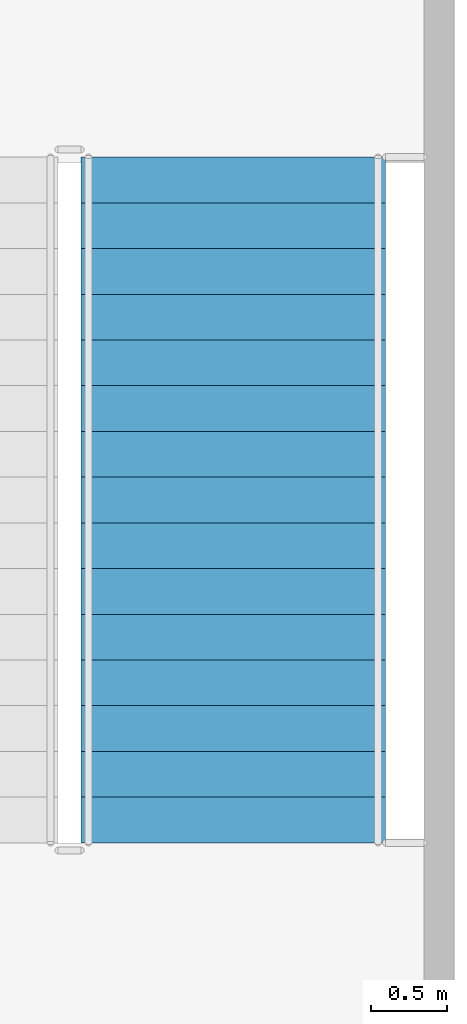
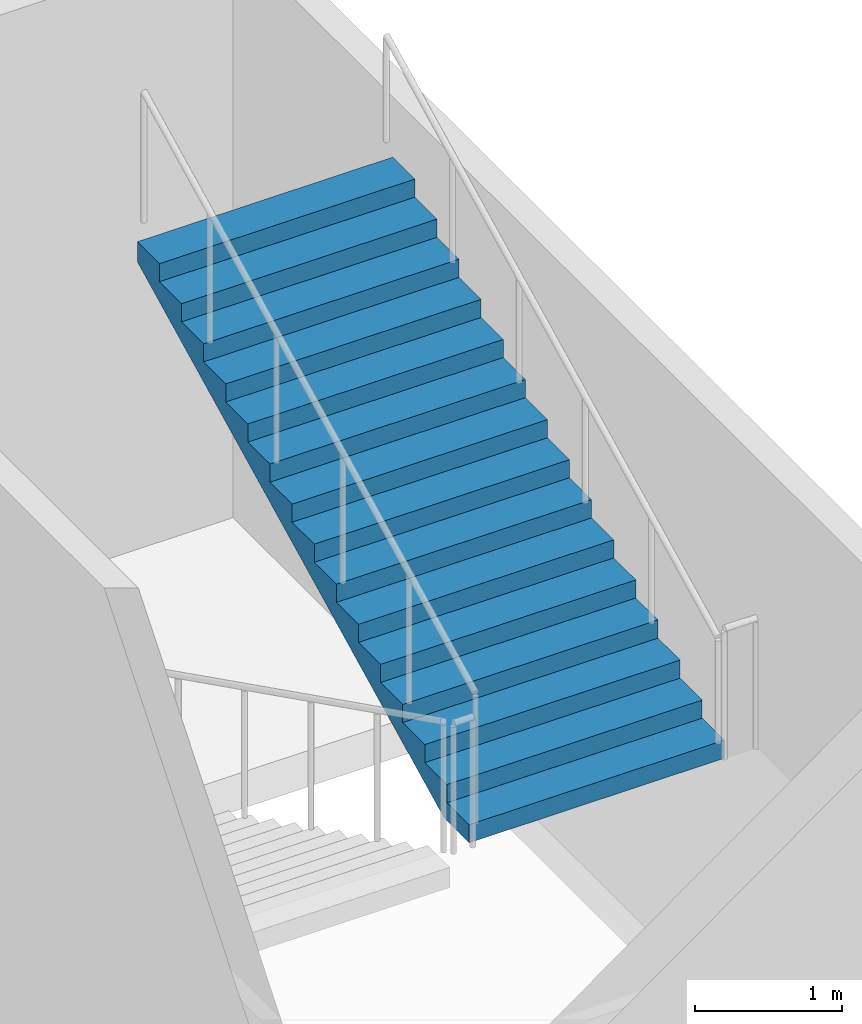
# One storey, part 65 of 91: 1 stair flight, 1 element without a shape of its own.
"""IFC4 building model written with IfcOpenShell, lengths in metres."""

from ifc_helpers import new_model, si_unit, direction, frame, origin, place, context, subcontext, project, spatial, faceted_brep, material, type_object, element, aggregate, save


model = new_model("IFC4")

# Units and contexts
model_context = context("Model", 3, precision=1e-05, world=origin(), true_north=direction((0.0, 1.0)))
body_context = subcontext(model_context, "Body", "Model", "MODEL_VIEW")
ifc_project = project(units=[si_unit("LENGTHUNIT", "METRE"), si_unit("AREAUNIT", "SQUARE_METRE"), si_unit("VOLUMEUNIT", "CUBIC_METRE"), si_unit("PLANEANGLEUNIT", "RADIAN"), si_unit("MASSUNIT", "GRAM", prefix="KILO")], contexts=[model_context])

# Site, building, storey
site_placement = place(None, origin())
site = spatial("IfcSite", under=ifc_project, at=site_placement, CompositionType="ELEMENT")
building_placement = place(site_placement, origin())
building = spatial("IfcBuilding", under=site, at=building_placement, Name="Kiln Court Media Centre", CompositionType="ELEMENT")
storey_placement = place(building_placement, frame((0.0, 0.0, 5.39990234375)))
storey = spatial("IfcBuildingStorey", under=building, at=storey_placement, Name="L01", CompositionType="ELEMENT", Elevation=5.39990234375)

# Stair, stair flight
ifc_material_1 = material(Name="Concrete C40/50", Category="concrete")
stair_type = type_object("IfcStairType", Name="Concrete C40/50 dog-leg stair 2000 wide, 150 riser", PredefinedType="HALF_TURN_STAIR", material=ifc_material_1)
stair_placement = place(storey_placement, origin())
stair = element("IfcStair", 1, at=stair_placement, inside=storey, type_object=stair_type, Name="ST-15 L01", PredefinedType="HALF_TURN_STAIR")
ifc_material_2 = material(Name="Concrete C40/50", Category="concrete")
stair_flight_type = type_object("IfcStairFlightType", Name="Concrete C40/50 stair flight 2000 wide, 150 riser, 300 going", PredefinedType="STRAIGHT", material=ifc_material_2)
stair_flight_placement = place(storey_placement, frame((166.550048828125, 59.89990234375, 2.400146484375), z_axis=(0.0, 0.0, 1.0), x_axis=(0.0, 1.0, 0.0)))
stair_flight = element("IfcStairFlight", 2, at=stair_flight_placement, type_object=stair_flight_type, Name="L01-ST-5014 flight 5029", NumberOfRisers=16, NumberOfTreads=15, PredefinedType="STRAIGHT", RiserHeight=0.15, TreadLength=0.3, context=body_context, shape_type="Brep", body=[
    faceted_brep([(0.335205078125, -1.0, 0.0), (4.5, -1.0, 2.08251953125), (4.5, -1.0, 2.25), (4.199951171875, -1.0, 2.25), (4.199951171875, -1.0, 2.10009765625), (3.89990234375, -1.0, 2.10009765625), (3.89990234375, -1.0, 1.949951171875), (3.60009765625, -1.0, 1.949951171875), (3.60009765625, -1.0, 1.800048828125), (3.300048828125, -1.0, 1.800048828125), (3.300048828125, -1.0, 1.64990234375), (3.0, -1.0, 1.64990234375), (3.0, -1.0, 1.5), (2.699951171875, -1.0, 1.5), (2.699951171875, -1.0, 1.35009765625), (2.39990234375, -1.0, 1.35009765625), (2.39990234375, -1.0, 1.199951171875), (2.10009765625, -1.0, 1.199951171875), (2.10009765625, -1.0, 1.050048828125), (1.800048828125, -1.0, 1.050048828125), (1.800048828125, -1.0, 0.89990234375), (1.5, -1.0, 0.89990234375), (1.5, -1.0, 0.75), (1.199951171875, -1.0, 0.75), (1.199951171875, -1.0, 0.60009765625), (0.89990234375, -1.0, 0.60009765625), (0.89990234375, -1.0, 0.449951171875), (0.60009765625, -1.0, 0.449951171875), (0.60009765625, -1.0, 0.300048828125), (0.300048828125, -1.0, 0.300048828125), (0.300048828125, -1.0, 0.14990234375), (0.0, -1.0, 0.14990234375), (0.0, -1.0, 0.0), (0.0, 1.0, 0.0), (0.0, 1.0, 0.14990234375), (0.300048828125, 1.0, 0.14990234375), (0.300048828125, 1.0, 0.300048828125), (0.60009765625, 1.0, 0.300048828125), (0.60009765625, 1.0, 0.449951171875), (0.89990234375, 1.0, 0.449951171875), (0.89990234375, 1.0, 0.60009765625), (1.199951171875, 1.0, 0.60009765625), (1.199951171875, 1.0, 0.75), (1.5, 1.0, 0.75), (1.5, 1.0, 0.89990234375), (1.800048828125, 1.0, 0.89990234375), (1.800048828125, 1.0, 1.050048828125), (2.10009765625, 1.0, 1.050048828125), (2.10009765625, 1.0, 1.199951171875), (2.39990234375, 1.0, 1.199951171875), (2.39990234375, 1.0, 1.35009765625), (2.699951171875, 1.0, 1.35009765625), (2.699951171875, 1.0, 1.5), (3.0, 1.0, 1.5), (3.0, 1.0, 1.64990234375), (3.300048828125, 1.0, 1.64990234375), (3.300048828125, 1.0, 1.800048828125), (3.60009765625, 1.0, 1.800048828125), (3.60009765625, 1.0, 1.949951171875), (3.89990234375, 1.0, 1.949951171875), (3.89990234375, 1.0, 2.10009765625), (4.199951171875, 1.0, 2.10009765625), (4.199951171875, 1.0, 2.25), (4.5, 1.0, 2.25), (4.5, 1.0, 2.08251953125), (0.335205078125, 1.0, 0.0), (4.5, 0.10009765625, 2.08251953125), (0.335205078125, 0.10009765625, 0.0), (4.5, 0.080078125, 2.08251953125), (0.335205078125, 0.080078125, 0.0), (4.5, 0.06005859375, 2.08251953125), (0.335205078125, 0.06005859375, 0.0), (4.5, 0.0400390625, 2.08251953125), (0.335205078125, 0.0400390625, 0.0), (4.5, 0.02001953125, 2.08251953125), (0.335205078125, 0.02001953125, 0.0), (4.5, 0.0, 2.08251953125), (0.335205078125, 0.0, 0.0), (4.5, -0.02001953125, 2.08251953125), (0.335205078125, -0.02001953125, 0.0), (4.5, -0.0400390625, 2.08251953125), (0.335205078125, -0.0400390625, 0.0), (4.5, -0.06005859375, 2.08251953125), (0.335205078125, -0.06005859375, 0.0), (4.5, -0.080078125, 2.08251953125), (0.335205078125, -0.080078125, 0.0), (4.5, -0.10009765625, 2.08251953125), (0.335205078125, -0.10009765625, 0.0), (4.5, 0.10009765625, 2.25), (4.5, 0.080078125, 2.25), (4.5, 0.06005859375, 2.25), (4.5, 0.0400390625, 2.25), (4.5, 0.02001953125, 2.25), (4.5, 0.0, 2.25), (4.5, -0.02001953125, 2.25), (4.5, -0.0400390625, 2.25), (4.5, -0.06005859375, 2.25), (4.5, -0.080078125, 2.25), (4.5, -0.10009765625, 2.25), (4.199951171875, 0.10009765625, 2.25), (4.199951171875, 0.080078125, 2.25), (4.199951171875, 0.06005859375, 2.25), (4.199951171875, 0.0400390625, 2.25), (4.199951171875, 0.02001953125, 2.25), (4.199951171875, 0.0, 2.25), (4.199951171875, -0.02001953125, 2.25), (4.199951171875, -0.0400390625, 2.25), (4.199951171875, -0.06005859375, 2.25), (4.199951171875, -0.080078125, 2.25), (4.199951171875, -0.10009765625, 2.25), (4.199951171875, 0.10009765625, 2.10009765625), (4.199951171875, 0.080078125, 2.10009765625), (4.199951171875, 0.06005859375, 2.10009765625), (4.199951171875, 0.0400390625, 2.10009765625), (4.199951171875, 0.02001953125, 2.10009765625), (4.199951171875, 0.0, 2.10009765625), (4.199951171875, -0.02001953125, 2.10009765625), (4.199951171875, -0.0400390625, 2.10009765625), (4.199951171875, -0.06005859375, 2.10009765625), (4.199951171875, -0.080078125, 2.10009765625), (4.199951171875, -0.10009765625, 2.10009765625), (3.89990234375, 0.10009765625, 2.10009765625), (3.89990234375, 0.080078125, 2.10009765625), (3.89990234375, 0.06005859375, 2.10009765625), (3.89990234375, 0.0400390625, 2.10009765625), (3.89990234375, 0.02001953125, 2.10009765625), (3.89990234375, 0.0, 2.10009765625), (3.89990234375, -0.02001953125, 2.10009765625), (3.89990234375, -0.0400390625, 2.10009765625), (3.89990234375, -0.06005859375, 2.10009765625), (3.89990234375, -0.080078125, 2.10009765625), (3.89990234375, -0.10009765625, 2.10009765625), (3.89990234375, 0.10009765625, 1.949951171875), (3.89990234375, 0.080078125, 1.949951171875), (3.89990234375, 0.06005859375, 1.949951171875), (3.89990234375, 0.0400390625, 1.949951171875), (3.89990234375, 0.02001953125, 1.949951171875), (3.89990234375, 0.0, 1.949951171875), (3.89990234375, -0.02001953125, 1.949951171875), (3.89990234375, -0.0400390625, 1.949951171875), (3.89990234375, -0.06005859375, 1.949951171875), (3.89990234375, -0.080078125, 1.949951171875), (3.89990234375, -0.10009765625, 1.949951171875), (3.60009765625, 0.10009765625, 1.949951171875), (3.60009765625, 0.080078125, 1.949951171875), (3.60009765625, 0.06005859375, 1.949951171875), (3.60009765625, 0.0400390625, 1.949951171875), (3.60009765625, 0.02001953125, 1.949951171875), (3.60009765625, 0.0, 1.949951171875), (3.60009765625, -0.02001953125, 1.949951171875), (3.60009765625, -0.0400390625, 1.949951171875), (3.60009765625, -0.06005859375, 1.949951171875), (3.60009765625, -0.080078125, 1.949951171875), (3.60009765625, -0.10009765625, 1.949951171875), (3.60009765625, 0.10009765625, 1.800048828125), (3.60009765625, 0.080078125, 1.800048828125), (3.60009765625, 0.06005859375, 1.800048828125), (3.60009765625, 0.0400390625, 1.800048828125), (3.60009765625, 0.02001953125, 1.800048828125), (3.60009765625, 0.0, 1.800048828125), (3.60009765625, -0.02001953125, 1.800048828125), (3.60009765625, -0.0400390625, 1.800048828125), (3.60009765625, -0.06005859375, 1.800048828125), (3.60009765625, -0.080078125, 1.800048828125), (3.60009765625, -0.10009765625, 1.800048828125), (3.300048828125, 0.10009765625, 1.800048828125), (3.300048828125, 0.080078125, 1.800048828125), (3.300048828125, 0.06005859375, 1.800048828125), (3.300048828125, 0.0400390625, 1.800048828125), (3.300048828125, 0.02001953125, 1.800048828125), (3.300048828125, 0.0, 1.800048828125), (3.300048828125, -0.02001953125, 1.800048828125), (3.300048828125, -0.0400390625, 1.800048828125), (3.300048828125, -0.06005859375, 1.800048828125), (3.300048828125, -0.080078125, 1.800048828125), (3.300048828125, -0.10009765625, 1.800048828125), (3.300048828125, 0.10009765625, 1.64990234375), (3.300048828125, 0.080078125, 1.64990234375), (3.300048828125, 0.06005859375, 1.64990234375), (3.300048828125, 0.0400390625, 1.64990234375), (3.300048828125, 0.02001953125, 1.64990234375), (3.300048828125, 0.0, 1.64990234375), (3.300048828125, -0.02001953125, 1.64990234375), (3.300048828125, -0.0400390625, 1.64990234375), (3.300048828125, -0.06005859375, 1.64990234375), (3.300048828125, -0.080078125, 1.64990234375), (3.300048828125, -0.10009765625, 1.64990234375), (3.0, 0.10009765625, 1.64990234375), (3.0, 0.080078125, 1.64990234375), (3.0, 0.06005859375, 1.64990234375), (3.0, 0.0400390625, 1.64990234375), (3.0, 0.02001953125, 1.64990234375), (3.0, 0.0, 1.64990234375), (3.0, -0.02001953125, 1.64990234375), (3.0, -0.0400390625, 1.64990234375), (3.0, -0.06005859375, 1.64990234375), (3.0, -0.080078125, 1.64990234375), (3.0, -0.10009765625, 1.64990234375), (3.0, 0.10009765625, 1.5), (3.0, 0.080078125, 1.5), (3.0, 0.06005859375, 1.5), (3.0, 0.0400390625, 1.5), (3.0, 0.02001953125, 1.5), (3.0, 0.0, 1.5), (3.0, -0.02001953125, 1.5), (3.0, -0.0400390625, 1.5), (3.0, -0.06005859375, 1.5), (3.0, -0.080078125, 1.5), (3.0, -0.10009765625, 1.5), (2.699951171875, 0.10009765625, 1.5), (2.699951171875, 0.080078125, 1.5), (2.699951171875, 0.06005859375, 1.5), (2.699951171875, 0.0400390625, 1.5), (2.699951171875, 0.02001953125, 1.5), (2.699951171875, 0.0, 1.5), (2.699951171875, -0.02001953125, 1.5), (2.699951171875, -0.0400390625, 1.5), (2.699951171875, -0.06005859375, 1.5), (2.699951171875, -0.080078125, 1.5), (2.699951171875, -0.10009765625, 1.5), (2.699951171875, 0.10009765625, 1.35009765625), (2.699951171875, 0.080078125, 1.35009765625), (2.699951171875, 0.06005859375, 1.35009765625), (2.699951171875, 0.0400390625, 1.35009765625), (2.699951171875, 0.02001953125, 1.35009765625), (2.699951171875, 0.0, 1.35009765625), (2.699951171875, -0.02001953125, 1.35009765625), (2.699951171875, -0.0400390625, 1.35009765625), (2.699951171875, -0.06005859375, 1.35009765625), (2.699951171875, -0.080078125, 1.35009765625), (2.699951171875, -0.10009765625, 1.35009765625), (2.39990234375, 0.10009765625, 1.35009765625), (2.39990234375, 0.080078125, 1.35009765625), (2.39990234375, 0.06005859375, 1.35009765625), (2.39990234375, 0.0400390625, 1.35009765625), (2.39990234375, 0.02001953125, 1.35009765625), (2.39990234375, 0.0, 1.35009765625), (2.39990234375, -0.02001953125, 1.35009765625), (2.39990234375, -0.0400390625, 1.35009765625), (2.39990234375, -0.06005859375, 1.35009765625), (2.39990234375, -0.080078125, 1.35009765625), (2.39990234375, -0.10009765625, 1.35009765625), (2.39990234375, 0.10009765625, 1.199951171875), (2.39990234375, 0.080078125, 1.199951171875), (2.39990234375, 0.06005859375, 1.199951171875), (2.39990234375, 0.0400390625, 1.199951171875), (2.39990234375, 0.02001953125, 1.199951171875), (2.39990234375, 0.0, 1.199951171875), (2.39990234375, -0.02001953125, 1.199951171875), (2.39990234375, -0.0400390625, 1.199951171875), (2.39990234375, -0.06005859375, 1.199951171875), (2.39990234375, -0.080078125, 1.199951171875), (2.39990234375, -0.10009765625, 1.199951171875), (2.10009765625, 0.10009765625, 1.199951171875), (2.10009765625, 0.080078125, 1.199951171875), (2.10009765625, 0.06005859375, 1.199951171875), (2.10009765625, 0.0400390625, 1.199951171875), (2.10009765625, 0.02001953125, 1.199951171875), (2.10009765625, 0.0, 1.199951171875), (2.10009765625, -0.02001953125, 1.199951171875), (2.10009765625, -0.0400390625, 1.199951171875), (2.10009765625, -0.06005859375, 1.199951171875), (2.10009765625, -0.080078125, 1.199951171875), (2.10009765625, -0.10009765625, 1.199951171875), (2.10009765625, 0.10009765625, 1.050048828125), (2.10009765625, 0.080078125, 1.050048828125), (2.10009765625, 0.06005859375, 1.050048828125), (2.10009765625, 0.0400390625, 1.050048828125), (2.10009765625, 0.02001953125, 1.050048828125), (2.10009765625, 0.0, 1.050048828125), (2.10009765625, -0.02001953125, 1.050048828125), (2.10009765625, -0.0400390625, 1.050048828125), (2.10009765625, -0.06005859375, 1.050048828125), (2.10009765625, -0.080078125, 1.050048828125), (2.10009765625, -0.10009765625, 1.050048828125), (1.800048828125, 0.10009765625, 1.050048828125), (1.800048828125, 0.080078125, 1.050048828125), (1.800048828125, 0.06005859375, 1.050048828125), (1.800048828125, 0.0400390625, 1.050048828125), (1.800048828125, 0.02001953125, 1.050048828125), (1.800048828125, 0.0, 1.050048828125), (1.800048828125, -0.02001953125, 1.050048828125), (1.800048828125, -0.0400390625, 1.050048828125), (1.800048828125, -0.06005859375, 1.050048828125), (1.800048828125, -0.080078125, 1.050048828125), (1.800048828125, -0.10009765625, 1.050048828125), (1.800048828125, 0.10009765625, 0.89990234375), (1.800048828125, 0.080078125, 0.89990234375), (1.800048828125, 0.06005859375, 0.89990234375), (1.800048828125, 0.0400390625, 0.89990234375), (1.800048828125, 0.02001953125, 0.89990234375), (1.800048828125, 0.0, 0.89990234375), (1.800048828125, -0.02001953125, 0.89990234375), (1.800048828125, -0.0400390625, 0.89990234375), (1.800048828125, -0.06005859375, 0.89990234375), (1.800048828125, -0.080078125, 0.89990234375), (1.800048828125, -0.10009765625, 0.89990234375), (1.5, 0.10009765625, 0.89990234375), (1.5, 0.080078125, 0.89990234375), (1.5, 0.06005859375, 0.89990234375), (1.5, 0.0400390625, 0.89990234375), (1.5, 0.02001953125, 0.89990234375), (1.5, 0.0, 0.89990234375), (1.5, -0.02001953125, 0.89990234375), (1.5, -0.0400390625, 0.89990234375), (1.5, -0.06005859375, 0.89990234375), (1.5, -0.080078125, 0.89990234375), (1.5, -0.10009765625, 0.89990234375), (1.5, 0.10009765625, 0.75), (1.5, 0.080078125, 0.75), (1.5, 0.06005859375, 0.75), (1.5, 0.0400390625, 0.75), (1.5, 0.02001953125, 0.75), (1.5, 0.0, 0.75), (1.5, -0.02001953125, 0.75), (1.5, -0.0400390625, 0.75), (1.5, -0.06005859375, 0.75), (1.5, -0.080078125, 0.75), (1.5, -0.10009765625, 0.75), (1.199951171875, 0.10009765625, 0.75), (1.199951171875, 0.080078125, 0.75), (1.199951171875, 0.06005859375, 0.75), (1.199951171875, 0.0400390625, 0.75), (1.199951171875, 0.02001953125, 0.75), (1.199951171875, 0.0, 0.75), (1.199951171875, -0.02001953125, 0.75), (1.199951171875, -0.0400390625, 0.75), (1.199951171875, -0.06005859375, 0.75), (1.199951171875, -0.080078125, 0.75), (1.199951171875, -0.10009765625, 0.75), (1.199951171875, 0.10009765625, 0.60009765625), (1.199951171875, 0.080078125, 0.60009765625), (1.199951171875, 0.06005859375, 0.60009765625), (1.199951171875, 0.0400390625, 0.60009765625), (1.199951171875, 0.02001953125, 0.60009765625), (1.199951171875, 0.0, 0.60009765625), (1.199951171875, -0.02001953125, 0.60009765625), (1.199951171875, -0.0400390625, 0.60009765625), (1.199951171875, -0.06005859375, 0.60009765625), (1.199951171875, -0.080078125, 0.60009765625), (1.199951171875, -0.10009765625, 0.60009765625), (0.89990234375, 0.10009765625, 0.60009765625), (0.89990234375, 0.080078125, 0.60009765625), (0.89990234375, 0.06005859375, 0.60009765625), (0.89990234375, 0.0400390625, 0.60009765625), (0.89990234375, 0.02001953125, 0.60009765625), (0.89990234375, 0.0, 0.60009765625), (0.89990234375, -0.02001953125, 0.60009765625), (0.89990234375, -0.0400390625, 0.60009765625), (0.89990234375, -0.06005859375, 0.60009765625), (0.89990234375, -0.080078125, 0.60009765625), (0.89990234375, -0.10009765625, 0.60009765625), (0.89990234375, 0.10009765625, 0.449951171875), (0.89990234375, 0.080078125, 0.449951171875), (0.89990234375, 0.06005859375, 0.449951171875), (0.89990234375, 0.0400390625, 0.449951171875), (0.89990234375, 0.02001953125, 0.449951171875), (0.89990234375, 0.0, 0.449951171875), (0.89990234375, -0.02001953125, 0.449951171875), (0.89990234375, -0.0400390625, 0.449951171875), (0.89990234375, -0.06005859375, 0.449951171875), (0.89990234375, -0.080078125, 0.449951171875), (0.89990234375, -0.10009765625, 0.449951171875), (0.60009765625, 0.10009765625, 0.449951171875), (0.60009765625, 0.080078125, 0.449951171875), (0.60009765625, 0.06005859375, 0.449951171875), (0.60009765625, 0.0400390625, 0.449951171875), (0.60009765625, 0.02001953125, 0.449951171875), (0.60009765625, 0.0, 0.449951171875), (0.60009765625, -0.02001953125, 0.449951171875), (0.60009765625, -0.0400390625, 0.449951171875), (0.60009765625, -0.06005859375, 0.449951171875), (0.60009765625, -0.080078125, 0.449951171875), (0.60009765625, -0.10009765625, 0.449951171875), (0.60009765625, 0.10009765625, 0.300048828125), (0.60009765625, 0.080078125, 0.300048828125), (0.60009765625, 0.06005859375, 0.300048828125), (0.60009765625, 0.0400390625, 0.300048828125), (0.60009765625, 0.02001953125, 0.300048828125), (0.60009765625, 0.0, 0.300048828125), (0.60009765625, -0.02001953125, 0.300048828125), (0.60009765625, -0.0400390625, 0.300048828125), (0.60009765625, -0.06005859375, 0.300048828125), (0.60009765625, -0.080078125, 0.300048828125), (0.60009765625, -0.10009765625, 0.300048828125), (0.300048828125, 0.10009765625, 0.300048828125), (0.300048828125, 0.080078125, 0.300048828125), (0.300048828125, 0.06005859375, 0.300048828125), (0.300048828125, 0.0400390625, 0.300048828125), (0.300048828125, 0.02001953125, 0.300048828125), (0.300048828125, 0.0, 0.300048828125), (0.300048828125, -0.02001953125, 0.300048828125), (0.300048828125, -0.0400390625, 0.300048828125), (0.300048828125, -0.06005859375, 0.300048828125), (0.300048828125, -0.080078125, 0.300048828125), (0.300048828125, -0.10009765625, 0.300048828125), (0.300048828125, 0.10009765625, 0.14990234375), (0.300048828125, 0.080078125, 0.14990234375), (0.300048828125, 0.06005859375, 0.14990234375), (0.300048828125, 0.0400390625, 0.14990234375), (0.300048828125, 0.02001953125, 0.14990234375), (0.300048828125, 0.0, 0.14990234375), (0.300048828125, -0.02001953125, 0.14990234375), (0.300048828125, -0.0400390625, 0.14990234375), (0.300048828125, -0.06005859375, 0.14990234375), (0.300048828125, -0.080078125, 0.14990234375), (0.300048828125, -0.10009765625, 0.14990234375), (0.0, 0.10009765625, 0.14990234375), (0.0, 0.080078125, 0.14990234375), (0.0, 0.06005859375, 0.14990234375), (0.0, 0.0400390625, 0.14990234375), (0.0, 0.02001953125, 0.14990234375), (0.0, 0.0, 0.14990234375), (0.0, -0.02001953125, 0.14990234375), (0.0, -0.0400390625, 0.14990234375), (0.0, -0.06005859375, 0.14990234375), (0.0, -0.080078125, 0.14990234375), (0.0, -0.10009765625, 0.14990234375), (0.0, 0.10009765625, 0.0), (0.0, 0.080078125, 0.0), (0.0, 0.06005859375, 0.0), (0.0, 0.0400390625, 0.0), (0.0, 0.02001953125, 0.0), (0.0, 0.0, 0.0), (0.0, -0.02001953125, 0.0), (0.0, -0.0400390625, 0.0), (0.0, -0.06005859375, 0.0), (0.0, -0.080078125, 0.0), (0.0, -0.10009765625, 0.0)], [[[0, 1, 2, 3, 4, 5, 6, 7, 8, 9, 10, 11, 12, 13, 14, 15, 16, 17, 18, 19, 20, 21, 22, 23, 24, 25, 26, 27, 28, 29, 30, 31, 32]], [[33, 34, 35, 36, 37, 38, 39, 40, 41, 42, 43, 44, 45, 46, 47, 48, 49, 50, 51, 52, 53, 54, 55, 56, 57, 58, 59, 60, 61, 62, 63, 64, 65]], [[65, 64, 66, 67]], [[67, 66, 68, 69]], [[69, 68, 70, 71]], [[71, 70, 72, 73]], [[73, 72, 74, 75]], [[75, 74, 76, 77]], [[77, 76, 78, 79]], [[79, 78, 80, 81]], [[81, 80, 82, 83]], [[83, 82, 84, 85]], [[85, 84, 86, 87]], [[87, 86, 1, 0]], [[64, 63, 88, 66]], [[66, 88, 89, 68]], [[68, 89, 90, 70]], [[70, 90, 91, 72]], [[72, 91, 92, 74]], [[74, 92, 93, 76]], [[76, 93, 94, 78]], [[78, 94, 95, 80]], [[80, 95, 96, 82]], [[82, 96, 97, 84]], [[84, 97, 98, 86]], [[86, 98, 2, 1]], [[63, 62, 99, 88]], [[88, 99, 100, 89]], [[89, 100, 101, 90]], [[90, 101, 102, 91]], [[91, 102, 103, 92]], [[92, 103, 104, 93]], [[93, 104, 105, 94]], [[94, 105, 106, 95]], [[95, 106, 107, 96]], [[96, 107, 108, 97]], [[97, 108, 109, 98]], [[98, 109, 3, 2]], [[62, 61, 110, 99]], [[99, 110, 111, 100]], [[100, 111, 112, 101]], [[101, 112, 113, 102]], [[102, 113, 114, 103]], [[103, 114, 115, 104]], [[104, 115, 116, 105]], [[105, 116, 117, 106]], [[106, 117, 118, 107]], [[107, 118, 119, 108]], [[108, 119, 120, 109]], [[109, 120, 4, 3]], [[61, 60, 121, 110]], [[110, 121, 122, 111]], [[111, 122, 123, 112]], [[112, 123, 124, 113]], [[113, 124, 125, 114]], [[114, 125, 126, 115]], [[115, 126, 127, 116]], [[116, 127, 128, 117]], [[117, 128, 129, 118]], [[118, 129, 130, 119]], [[119, 130, 131, 120]], [[120, 131, 5, 4]], [[60, 59, 132, 121]], [[121, 132, 133, 122]], [[122, 133, 134, 123]], [[123, 134, 135, 124]], [[124, 135, 136, 125]], [[125, 136, 137, 126]], [[126, 137, 138, 127]], [[127, 138, 139, 128]], [[128, 139, 140, 129]], [[129, 140, 141, 130]], [[130, 141, 142, 131]], [[131, 142, 6, 5]], [[59, 58, 143, 132]], [[132, 143, 144, 133]], [[133, 144, 145, 134]], [[134, 145, 146, 135]], [[135, 146, 147, 136]], [[136, 147, 148, 137]], [[137, 148, 149, 138]], [[138, 149, 150, 139]], [[139, 150, 151, 140]], [[140, 151, 152, 141]], [[141, 152, 153, 142]], [[142, 153, 7, 6]], [[58, 57, 154, 143]], [[143, 154, 155, 144]], [[144, 155, 156, 145]], [[145, 156, 157, 146]], [[146, 157, 158, 147]], [[147, 158, 159, 148]], [[148, 159, 160, 149]], [[149, 160, 161, 150]], [[150, 161, 162, 151]], [[151, 162, 163, 152]], [[152, 163, 164, 153]], [[153, 164, 8, 7]], [[57, 56, 165, 154]], [[154, 165, 166, 155]], [[155, 166, 167, 156]], [[156, 167, 168, 157]], [[157, 168, 169, 158]], [[158, 169, 170, 159]], [[159, 170, 171, 160]], [[160, 171, 172, 161]], [[161, 172, 173, 162]], [[162, 173, 174, 163]], [[163, 174, 175, 164]], [[164, 175, 9, 8]], [[56, 55, 176, 165]], [[165, 176, 177, 166]], [[166, 177, 178, 167]], [[167, 178, 179, 168]], [[168, 179, 180, 169]], [[169, 180, 181, 170]], [[170, 181, 182, 171]], [[171, 182, 183, 172]], [[172, 183, 184, 173]], [[173, 184, 185, 174]], [[174, 185, 186, 175]], [[175, 186, 10, 9]], [[55, 54, 187, 176]], [[176, 187, 188, 177]], [[177, 188, 189, 178]], [[178, 189, 190, 179]], [[179, 190, 191, 180]], [[180, 191, 192, 181]], [[181, 192, 193, 182]], [[182, 193, 194, 183]], [[183, 194, 195, 184]], [[184, 195, 196, 185]], [[185, 196, 197, 186]], [[186, 197, 11, 10]], [[54, 53, 198, 187]], [[187, 198, 199, 188]], [[188, 199, 200, 189]], [[189, 200, 201, 190]], [[190, 201, 202, 191]], [[191, 202, 203, 192]], [[192, 203, 204, 193]], [[193, 204, 205, 194]], [[194, 205, 206, 195]], [[195, 206, 207, 196]], [[196, 207, 208, 197]], [[197, 208, 12, 11]], [[53, 52, 209, 198]], [[198, 209, 210, 199]], [[199, 210, 211, 200]], [[200, 211, 212, 201]], [[201, 212, 213, 202]], [[202, 213, 214, 203]], [[203, 214, 215, 204]], [[204, 215, 216, 205]], [[205, 216, 217, 206]], [[206, 217, 218, 207]], [[207, 218, 219, 208]], [[208, 219, 13, 12]], [[52, 51, 220, 209]], [[209, 220, 221, 210]], [[210, 221, 222, 211]], [[211, 222, 223, 212]], [[212, 223, 224, 213]], [[213, 224, 225, 214]], [[214, 225, 226, 215]], [[215, 226, 227, 216]], [[216, 227, 228, 217]], [[217, 228, 229, 218]], [[218, 229, 230, 219]], [[219, 230, 14, 13]], [[51, 50, 231, 220]], [[220, 231, 232, 221]], [[221, 232, 233, 222]], [[222, 233, 234, 223]], [[223, 234, 235, 224]], [[224, 235, 236, 225]], [[225, 236, 237, 226]], [[226, 237, 238, 227]], [[227, 238, 239, 228]], [[228, 239, 240, 229]], [[229, 240, 241, 230]], [[230, 241, 15, 14]], [[50, 49, 242, 231]], [[231, 242, 243, 232]], [[232, 243, 244, 233]], [[233, 244, 245, 234]], [[234, 245, 246, 235]], [[235, 246, 247, 236]], [[236, 247, 248, 237]], [[237, 248, 249, 238]], [[238, 249, 250, 239]], [[239, 250, 251, 240]], [[240, 251, 252, 241]], [[241, 252, 16, 15]], [[49, 48, 253, 242]], [[242, 253, 254, 243]], [[243, 254, 255, 244]], [[244, 255, 256, 245]], [[245, 256, 257, 246]], [[246, 257, 258, 247]], [[247, 258, 259, 248]], [[248, 259, 260, 249]], [[249, 260, 261, 250]], [[250, 261, 262, 251]], [[251, 262, 263, 252]], [[252, 263, 17, 16]], [[48, 47, 264, 253]], [[253, 264, 265, 254]], [[254, 265, 266, 255]], [[255, 266, 267, 256]], [[256, 267, 268, 257]], [[257, 268, 269, 258]], [[258, 269, 270, 259]], [[259, 270, 271, 260]], [[260, 271, 272, 261]], [[261, 272, 273, 262]], [[262, 273, 274, 263]], [[263, 274, 18, 17]], [[47, 46, 275, 264]], [[264, 275, 276, 265]], [[265, 276, 277, 266]], [[266, 277, 278, 267]], [[267, 278, 279, 268]], [[268, 279, 280, 269]], [[269, 280, 281, 270]], [[270, 281, 282, 271]], [[271, 282, 283, 272]], [[272, 283, 284, 273]], [[273, 284, 285, 274]], [[274, 285, 19, 18]], [[46, 45, 286, 275]], [[275, 286, 287, 276]], [[276, 287, 288, 277]], [[277, 288, 289, 278]], [[278, 289, 290, 279]], [[279, 290, 291, 280]], [[280, 291, 292, 281]], [[281, 292, 293, 282]], [[282, 293, 294, 283]], [[283, 294, 295, 284]], [[284, 295, 296, 285]], [[285, 296, 20, 19]], [[45, 44, 297, 286]], [[286, 297, 298, 287]], [[287, 298, 299, 288]], [[288, 299, 300, 289]], [[289, 300, 301, 290]], [[290, 301, 302, 291]], [[291, 302, 303, 292]], [[292, 303, 304, 293]], [[293, 304, 305, 294]], [[294, 305, 306, 295]], [[295, 306, 307, 296]], [[296, 307, 21, 20]], [[44, 43, 308, 297]], [[297, 308, 309, 298]], [[298, 309, 310, 299]], [[299, 310, 311, 300]], [[300, 311, 312, 301]], [[301, 312, 313, 302]], [[302, 313, 314, 303]], [[303, 314, 315, 304]], [[304, 315, 316, 305]], [[305, 316, 317, 306]], [[306, 317, 318, 307]], [[307, 318, 22, 21]], [[43, 42, 319, 308]], [[308, 319, 320, 309]], [[309, 320, 321, 310]], [[310, 321, 322, 311]], [[311, 322, 323, 312]], [[312, 323, 324, 313]], [[313, 324, 325, 314]], [[314, 325, 326, 315]], [[315, 326, 327, 316]], [[316, 327, 328, 317]], [[317, 328, 329, 318]], [[318, 329, 23, 22]], [[42, 41, 330, 319]], [[319, 330, 331, 320]], [[320, 331, 332, 321]], [[321, 332, 333, 322]], [[322, 333, 334, 323]], [[323, 334, 335, 324]], [[324, 335, 336, 325]], [[325, 336, 337, 326]], [[326, 337, 338, 327]], [[327, 338, 339, 328]], [[328, 339, 340, 329]], [[329, 340, 24, 23]], [[41, 40, 341, 330]], [[330, 341, 342, 331]], [[331, 342, 343, 332]], [[332, 343, 344, 333]], [[333, 344, 345, 334]], [[334, 345, 346, 335]], [[335, 346, 347, 336]], [[336, 347, 348, 337]], [[337, 348, 349, 338]], [[338, 349, 350, 339]], [[339, 350, 351, 340]], [[340, 351, 25, 24]], [[40, 39, 352, 341]], [[341, 352, 353, 342]], [[342, 353, 354, 343]], [[343, 354, 355, 344]], [[344, 355, 356, 345]], [[345, 356, 357, 346]], [[346, 357, 358, 347]], [[347, 358, 359, 348]], [[348, 359, 360, 349]], [[349, 360, 361, 350]], [[350, 361, 362, 351]], [[351, 362, 26, 25]], [[39, 38, 363, 352]], [[352, 363, 364, 353]], [[353, 364, 365, 354]], [[354, 365, 366, 355]], [[355, 366, 367, 356]], [[356, 367, 368, 357]], [[357, 368, 369, 358]], [[358, 369, 370, 359]], [[359, 370, 371, 360]], [[360, 371, 372, 361]], [[361, 372, 373, 362]], [[362, 373, 27, 26]], [[38, 37, 374, 363]], [[363, 374, 375, 364]], [[364, 375, 376, 365]], [[365, 376, 377, 366]], [[366, 377, 378, 367]], [[367, 378, 379, 368]], [[368, 379, 380, 369]], [[369, 380, 381, 370]], [[370, 381, 382, 371]], [[371, 382, 383, 372]], [[372, 383, 384, 373]], [[373, 384, 28, 27]], [[37, 36, 385, 374]], [[374, 385, 386, 375]], [[375, 386, 387, 376]], [[376, 387, 388, 377]], [[377, 388, 389, 378]], [[378, 389, 390, 379]], [[379, 390, 391, 380]], [[380, 391, 392, 381]], [[381, 392, 393, 382]], [[382, 393, 394, 383]], [[383, 394, 395, 384]], [[384, 395, 29, 28]], [[36, 35, 396, 385]], [[385, 396, 397, 386]], [[386, 397, 398, 387]], [[387, 398, 399, 388]], [[388, 399, 400, 389]], [[389, 400, 401, 390]], [[390, 401, 402, 391]], [[391, 402, 403, 392]], [[392, 403, 404, 393]], [[393, 404, 405, 394]], [[394, 405, 406, 395]], [[395, 406, 30, 29]], [[35, 34, 407, 396]], [[396, 407, 408, 397]], [[397, 408, 409, 398]], [[398, 409, 410, 399]], [[399, 410, 411, 400]], [[400, 411, 412, 401]], [[401, 412, 413, 402]], [[402, 413, 414, 403]], [[403, 414, 415, 404]], [[404, 415, 416, 405]], [[405, 416, 417, 406]], [[406, 417, 31, 30]], [[34, 33, 418, 407]], [[407, 418, 419, 408]], [[408, 419, 420, 409]], [[409, 420, 421, 410]], [[410, 421, 422, 411]], [[411, 422, 423, 412]], [[412, 423, 424, 413]], [[413, 424, 425, 414]], [[414, 425, 426, 415]], [[415, 426, 427, 416]], [[416, 427, 428, 417]], [[417, 428, 32, 31]], [[33, 65, 67, 418]], [[418, 67, 69, 419]], [[419, 69, 71, 420]], [[420, 71, 73, 421]], [[421, 73, 75, 422]], [[422, 75, 77, 423]], [[423, 77, 79, 424]], [[424, 79, 81, 425]], [[425, 81, 83, 426]], [[426, 83, 85, 427]], [[427, 85, 87, 428]], [[428, 87, 0, 32]]]),
])
aggregate(stair, [stair_flight])

save(model, "model.ifc")
